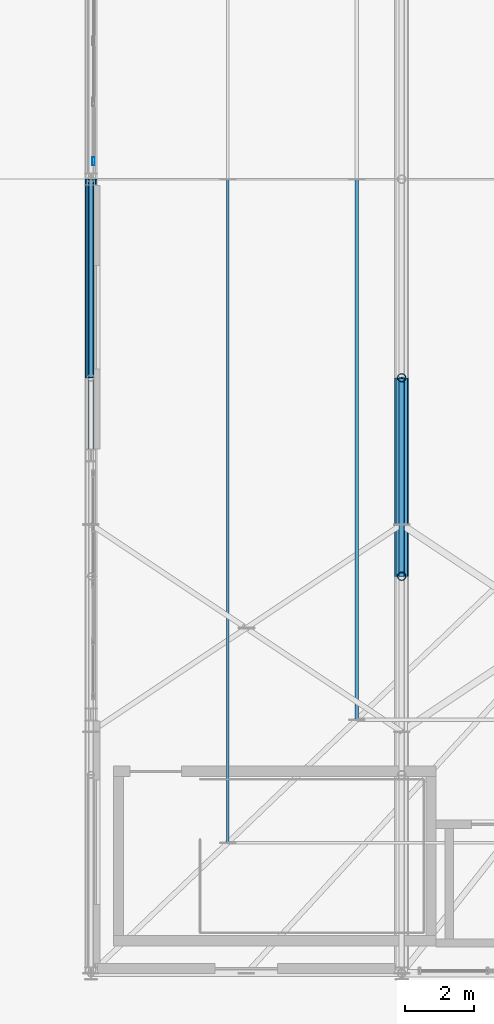
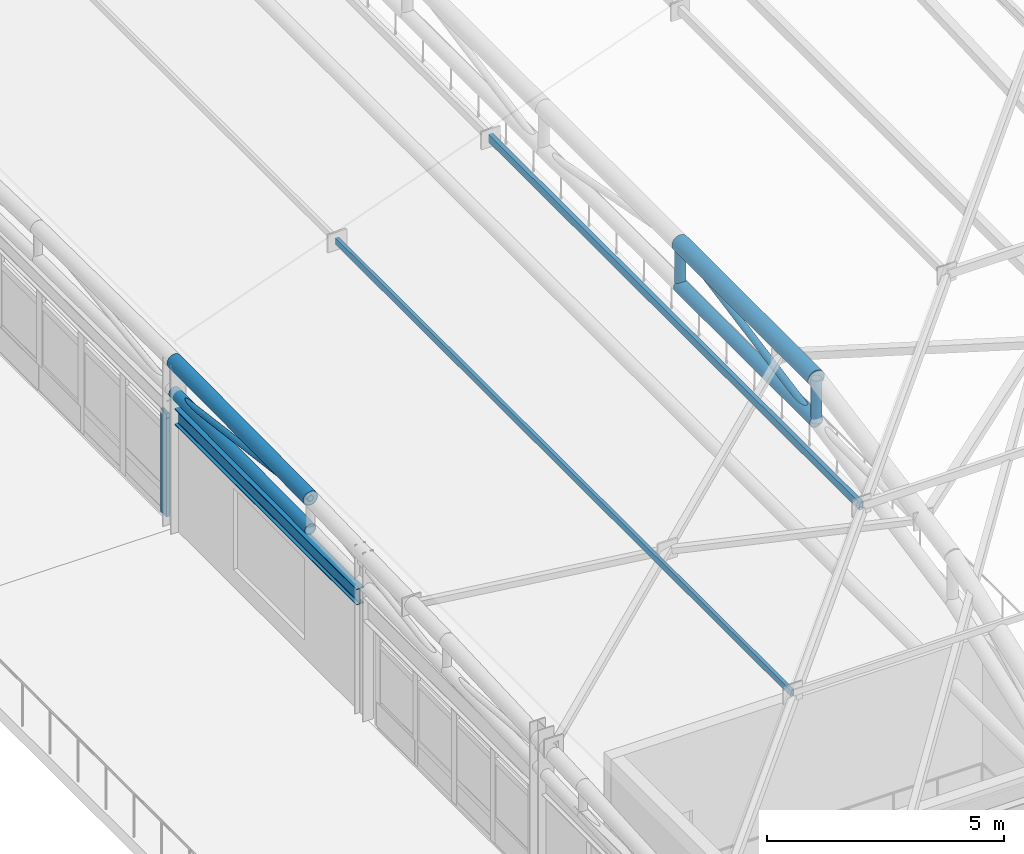
# One storey, part 13 of 168: 9 members, 3 beams, 1 element without a shape of its own.
"""IFC4 building model written with IfcOpenShell, lengths in metres."""

from ifc_helpers import new_model, si_unit, direction, frame, origin, origin_2d, place, context, subcontext, project, spatial, hollow_rectangle, hollow_circle, i_section, extrude, material, material_profile, profile_set, type_object, element, aggregate, save


model = new_model("IFC4")

# Units and contexts
model_context = context("Model", 3, precision=1e-05, world=origin(), true_north=direction((0.0, 1.0)))
body_context = subcontext(model_context, "Body", "Model", "MODEL_VIEW")
ifc_project = project(units=[si_unit("LENGTHUNIT", "METRE"), si_unit("AREAUNIT", "SQUARE_METRE"), si_unit("VOLUMEUNIT", "CUBIC_METRE"), si_unit("PLANEANGLEUNIT", "RADIAN"), si_unit("MASSUNIT", "GRAM", prefix="KILO"), si_unit("THERMODYNAMICTEMPERATUREUNIT", "KELVIN"), si_unit("POWERUNIT", "WATT")], contexts=[model_context])

# Site, building, storey
site_placement = place(None, origin())
site = spatial("IfcSite", under=ifc_project, at=site_placement, CompositionType="ELEMENT")
building_placement = place(site_placement, origin())
building = spatial("IfcBuilding", under=site, at=building_placement, Name="Tepalcoro Natatorium and Aquatics Centre", CompositionType="ELEMENT")
storey_placement = place(building_placement, frame((0.0, 0.0, 10.199951171875)))
storey = spatial("IfcBuildingStorey", under=building, at=storey_placement, Name="L02", CompositionType="ELEMENT", Elevation=10.199951171875)

# Beams
ifc_material_1 = material(Name="Terracotta Painted Hollow Steel ASTM A500 Grade C (Fy 345 MPa)", Category="masonry")
ifc_material_profile_1 = material_profile(ifc_material_1, hollow_circle(Radius=0.177978515625, WallThickness=0.01611328125, at=origin_2d()), Name="CHS356X16")
ifc_profile_set_1 = profile_set([ifc_material_profile_1], Name="Terracotta Painted Hollow Steel ASTM A500 Grade C (Fy 345 MPa)")
beam_type_1 = type_object("IfcBeamType", Name="AC_CHS356x16", PredefinedType="USERDEFINED", material=ifc_profile_set_1)
beam_1_placement = place(storey_placement, frame((53.0, 30.25, 4.2470703125), z_axis=(0.0, 0.999957556984, 0.009213263836), x_axis=(-1.0, 0.0, 0.0)))
element("IfcBeam", 1, at=beam_1_placement, inside=storey, type_object=beam_type_1, Name="V1 Gable Arched Truss Top Chord 1", ObjectType="ARCH CHORD", PredefinedType="USERDEFINED", context=body_context, shape_type="SweptSolid", body=[
    extrude(hollow_circle(Radius=0.177978515625, WallThickness=0.01611328125, at=origin_2d()), origin(), (0.0, 0.0, 1.0), 5.750244140625),
])
ifc_material_profile_2 = material_profile(ifc_material_1, hollow_circle(Radius=0.202880859375, WallThickness=0.01611328125, at=origin_2d()), Name="CHS406X16")
ifc_profile_set_2 = profile_set([ifc_material_profile_2], Name="Terracotta Painted Hollow Steel ASTM A500 Grade C (Fy 345 MPa)")
beam_type_2 = type_object("IfcBeamType", Name="AC_CHS406x16", PredefinedType="USERDEFINED", material=ifc_profile_set_2)
beam_2_placement = place(storey_placement, frame((62.0, 24.5, 7.677978515625), z_axis=(0.0, 1.0, 0.0), x_axis=(-1.0, 0.0, 0.0)))
element("IfcBeam", 2, at=beam_2_placement, inside=storey, type_object=beam_type_2, Name="V1 Arched Truss Top Chord 2", ObjectType="ARCH CHORD", PredefinedType="USERDEFINED", context=body_context, shape_type="SweptSolid", body=[
    extrude(hollow_circle(Radius=0.202880859375, WallThickness=0.01611328125, at=origin_2d()), origin(), (0.0, 0.0, 1.0), 5.75),
])

# Curtain wall, member
ifc_material_2 = material(Name="Bronze-Anodised Extruded Aluminium Alloy EN AW-6063 T6", Category="aluminium")
curtain_wall_type = type_object("IfcCurtainWallType", Name="CW_LEAN_T2_NS", PredefinedType="USERDEFINED", material=ifc_material_2)
curtain_wall_placement = place(storey_placement, origin())
curtain_wall = element("IfcCurtainWall", 3, at=curtain_wall_placement, inside=storey, type_object=curtain_wall_type, Name="V1 L02 W Unitised Curtain Wall Bay 4", ObjectType="FACETED SOLAR GLAZING", PredefinedType="USERDEFINED")
ifc_material_profile_3 = material_profile(ifc_material_2, hollow_rectangle(XDim=0.080078125, YDim=0.239990234375, WallThickness=0.0048828125, at=origin_2d()), Name="AL80X240X5")
ifc_profile_set_3 = profile_set([ifc_material_profile_3], Name="Bronze-Anodised Extruded Aluminium Alloy EN AW-6063 T6")
member_type_1 = type_object("IfcMemberType", Name="CW_MUL_80x240", PredefinedType="MULLION", material=ifc_profile_set_3)
member_1_placement = place(storey_placement, frame((53.076171875, 36.52001953125, 0.02001953125), z_axis=(0.0, 0.0, 1.0), x_axis=(1.0, 0.0, 0.0)))
member_1 = element("IfcMember", 4, at=member_1_placement, type_object=member_type_1, Name="CW_LEAN_T2_NS Curtain Wall Mullion", PredefinedType="MULLION", context=body_context, shape_type="SweptSolid", body=[
    extrude(hollow_rectangle(XDim=0.080078125, YDim=0.239990234375, WallThickness=0.0048828125, at=origin_2d()), origin(), (0.0, 0.0, 1.0), 2.659912109375),
])
aggregate(curtain_wall, [member_1])

# Members
ifc_material_profile_4 = material_profile(ifc_material_1, hollow_circle(Radius=0.136474609375, WallThickness=0.01611328125, at=origin_2d()), Name="CHS273X16")
ifc_profile_set_4 = profile_set([ifc_material_profile_4], Name="Terracotta Painted Hollow Steel ASTM A500 Grade C (Fy 345 MPa)")
member_type_2 = type_object("IfcMemberType", Name="MB_CH_CHS273x16", PredefinedType="CHORD", material=ifc_profile_set_4)
member_2_placement = place(storey_placement, frame((53.0, 30.25, 3.456298828125), z_axis=(0.0, 0.999971119702, 0.007599984308), x_axis=(-1.0, 0.0, 0.0)))
element("IfcMember", 5, at=member_2_placement, inside=storey, type_object=member_type_2, Name="V1 Gable Arched Truss Bottom Chord 1", PredefinedType="CHORD", context=body_context, shape_type="SweptSolid", body=[
    extrude(hollow_circle(Radius=0.136474609375, WallThickness=0.01611328125, at=origin_2d()), origin(), (0.0, 0.0, 1.0), 5.750244140625),
])
ifc_material_profile_5 = material_profile(ifc_material_1, hollow_circle(Radius=0.162109375, WallThickness=0.013916015625, at=origin_2d()), Name="CHS324X14")
ifc_profile_set_5 = profile_set([ifc_material_profile_5], Name="Terracotta Painted Hollow Steel ASTM A500 Grade C (Fy 345 MPa)")
member_type_3 = type_object("IfcMemberType", Name="MB_CH_CHS324x14", PredefinedType="CHORD", material=ifc_profile_set_5)
member_3_placement = place(storey_placement, frame((62.0, 24.5, 6.577880859375), z_axis=(0.0, 1.0, 0.0), x_axis=(-1.0, 0.0, 0.0)))
element("IfcMember", 6, at=member_3_placement, inside=storey, type_object=member_type_3, Name="V1 Arched Truss Bottom Chord 2", PredefinedType="CHORD", context=body_context, shape_type="SweptSolid", body=[
    extrude(hollow_circle(Radius=0.162109375, WallThickness=0.013916015625, at=origin_2d()), origin(), (0.0, 0.0, 1.0), 5.75),
])
ifc_material_3 = material(Name="Hollow Steel ASTM A500 Grade C (Fy 345 MPa)", Category="steel")
ifc_material_profile_6 = material_profile(ifc_material_3, hollow_rectangle(XDim=0.080078125, YDim=0.159912109375, WallThickness=0.008056640625, at=origin_2d()), Name="HSS160X80X8")
ifc_profile_set_6 = profile_set([ifc_material_profile_6], Name="Hollow Steel ASTM A500 Grade C (Fy 345 MPa)")
member_type_4 = type_object("IfcMemberType", Name="MB_PR_HSS160x80x8", PredefinedType="PURLIN", material=ifc_profile_set_6)
member_4_placement = place(storey_placement, frame((56.9599609375, 16.780029296875, 6.015625), z_axis=(0.0, 1.0, 0.0), x_axis=(-1.0, 0.0, 0.0)))
element("IfcMember", 7, at=member_4_placement, inside=storey, type_object=member_type_4, Name="Pyramid Horizontal Purlin W", PredefinedType="PURLIN", context=body_context, shape_type="SweptSolid", body=[
    extrude(hollow_rectangle(XDim=0.080078125, YDim=0.159912109375, WallThickness=0.008056640625, at=origin_2d()), origin(), (0.0, 0.0, 1.0), 19.219970703125),
])
ifc_material_profile_7 = material_profile(ifc_material_3, hollow_rectangle(XDim=0.10009765625, YDim=0.199951171875, WallThickness=0.008056640625, at=origin_2d()), Name="HSS200X100X8")
ifc_profile_set_7 = profile_set([ifc_material_profile_7], Name="Hollow Steel ASTM A500 Grade C (Fy 345 MPa)")
member_type_5 = type_object("IfcMemberType", Name="MB_PR_HSS200x100x8", PredefinedType="PURLIN", material=ifc_profile_set_7)
member_5_placement = place(storey_placement, frame((60.699951171875, 20.35009765625, 7.359130859375), z_axis=(0.0, 1.0, 0.0), x_axis=(-1.0, 0.0, 0.0)))
element("IfcMember", 8, at=member_5_placement, inside=storey, type_object=member_type_5, Name="Pyramid Horizontal Purlin W", PredefinedType="PURLIN", context=body_context, shape_type="SweptSolid", body=[
    extrude(hollow_rectangle(XDim=0.10009765625, YDim=0.199951171875, WallThickness=0.008056640625, at=origin_2d()), origin(), (0.0, 0.0, 1.0), 15.64990234375),
])
ifc_material_profile_8 = material_profile(ifc_material_1, hollow_circle(Radius=0.1220703125, WallThickness=0.011962890625, at=origin_2d()), Name="CHS244X12")
ifc_profile_set_8 = profile_set([ifc_material_profile_8], Name="Terracotta Painted Hollow Steel ASTM A500 Grade C (Fy 345 MPa)")
member_type_6 = type_object("IfcMemberType", Name="MB_PS_CHS244x12", PredefinedType="POST", material=ifc_profile_set_8)
for number, where, z_axis, x_axis, name in (
    (9, (62.0, 24.5, 6.577880859375), (0.0, 0.0, 1.0), (1.0, 0.0, 0.0), "V1 Arched Truss Vertical Post 2"),
    (10, (62.0, 30.25, 6.577880859375), (0.0, 0.0, 1.0), (1.0, 0.0, 0.0), "V1 Arched Truss Vertical Post 2"),
):
    element("IfcMember", number, at=place(storey_placement, frame(where, z_axis=z_axis, x_axis=x_axis)), inside=storey, type_object=member_type_6, Name=name, PredefinedType="POST", context=body_context, shape_type="SweptSolid", body=[
        extrude(hollow_circle(Radius=0.1220703125, WallThickness=0.011962890625, at=origin_2d()), origin(), (0.0, 0.0, 1.0), 1.10009765625),
    ])
ifc_material_profile_9 = material_profile(ifc_material_1, hollow_circle(Radius=0.070068359375, WallThickness=0.008056640625, at=origin_2d()), Name="CHS140X8")
ifc_profile_set_9 = profile_set([ifc_material_profile_9], Name="Terracotta Painted Hollow Steel ASTM A500 Grade C (Fy 345 MPa)")
member_type_7 = type_object("IfcMemberType", Name="MB_ST_CHS140x8", PredefinedType="STRUT", material=ifc_profile_set_9)
member_6_placement = place(storey_placement, frame((53.0, 30.25, 4.2470703125), z_axis=(0.0, 0.991665088265, -0.128842356067), x_axis=(-1.0, 0.0, 0.0)))
element("IfcMember", 11, at=member_6_placement, inside=storey, type_object=member_type_7, Name="V1 Arched Truss Web Diagonal 1", PredefinedType="STRUT", context=body_context, shape_type="SweptSolid", body=[
    extrude(hollow_circle(Radius=0.070068359375, WallThickness=0.008056640625, at=origin_2d()), origin(), (0.0, 0.0, 1.0), 5.79833984375),
])
ifc_material_profile_10 = material_profile(ifc_material_1, hollow_circle(Radius=0.083984375, WallThickness=0.011962890625, at=origin_2d()), Name="CHS168X12")
ifc_profile_set_10 = profile_set([ifc_material_profile_10], Name="Terracotta Painted Hollow Steel ASTM A500 Grade C (Fy 345 MPa)")
member_type_8 = type_object("IfcMemberType", Name="MB_ST_CHS168x12", PredefinedType="STRUT", material=ifc_profile_set_10)
member_7_placement = place(storey_placement, frame((62.0, 24.5, 6.577880859375), z_axis=(0.0, 0.98218566396, 0.18791306903), x_axis=(-1.0, 0.0, 0.0)))
element("IfcMember", 12, at=member_7_placement, inside=storey, type_object=member_type_8, Name="V1 Arched Truss Web Diagonal 2", PredefinedType="STRUT", context=body_context, shape_type="SweptSolid", body=[
    extrude(hollow_circle(Radius=0.083984375, WallThickness=0.011962890625, at=origin_2d()), origin(), (0.0, 0.0, 1.0), 5.854248046875),
])

# Beam
ifc_material_4 = material(Name="Steel ASTM A992 Grade 50 (Fy 345 MPa)", Category="steel")
ifc_material_profile_11 = material_profile(ifc_material_4, i_section(OverallWidth=0.179931640625, OverallDepth=0.4130859375, WebThickness=0.010009765625, FlangeThickness=0.01611328125, FilletRadius=0.013916015625, at=origin_2d()), Name="W16X50")
ifc_profile_set_11 = profile_set([ifc_material_profile_11], Name="Steel ASTM A992 Grade 50 (Fy 345 MPa)")
beam_type_3 = type_object("IfcBeamType", Name="SP_HSS300x200x12", PredefinedType="SPANDREL", material=ifc_profile_set_11)
beam_3_placement = place(storey_placement, frame((53.0, 28.156982421875, 2.99853515625), z_axis=(0.0, 1.0, 0.0), x_axis=(-1.0, 0.0, 0.0)))
element("IfcBeam", 13, at=beam_3_placement, inside=storey, type_object=beam_type_3, Name="V1 L02 Grid Girder Y", PredefinedType="SPANDREL", context=body_context, shape_type="SweptSolid", body=[
    extrude(i_section(OverallWidth=0.179931640625, OverallDepth=0.4130859375, WebThickness=0.010009765625, FlangeThickness=0.01611328125, FilletRadius=0.013916015625, at=origin_2d()), origin(), (0.0, 0.0, 1.0), 7.68603515625),
])

save(model, "model.ifc")
